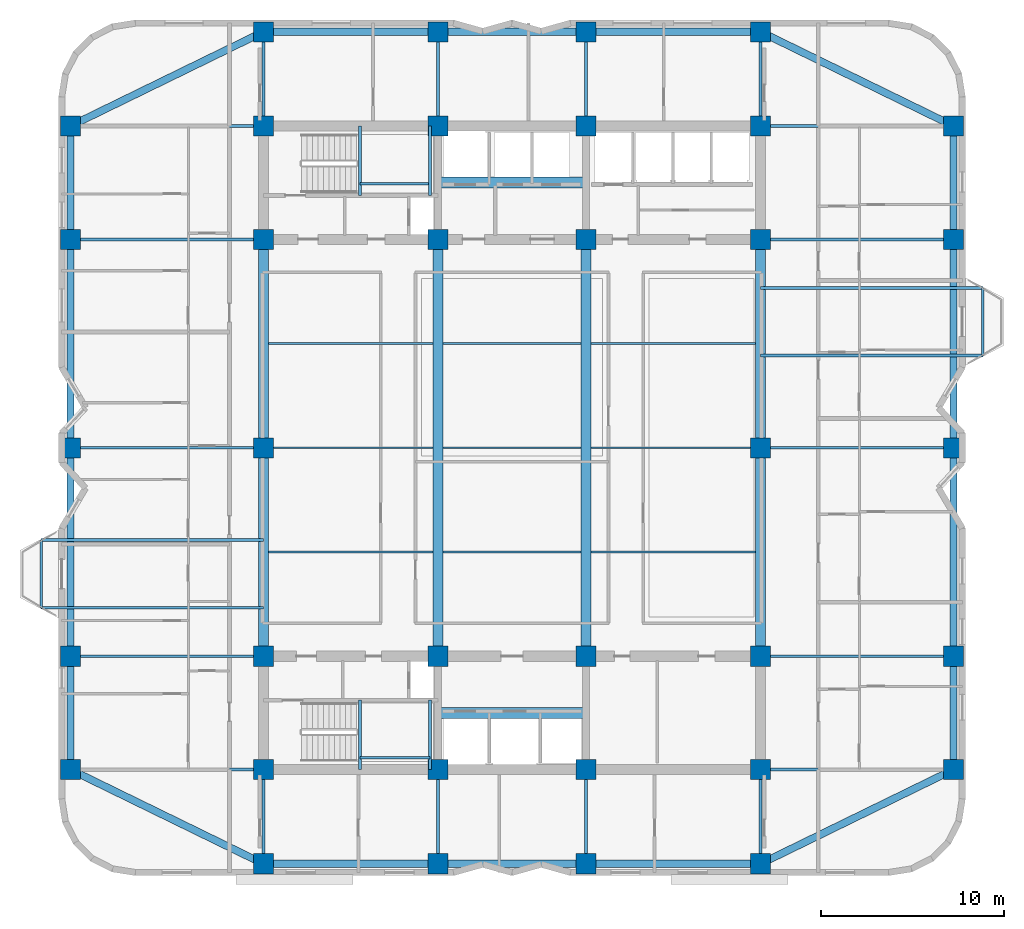
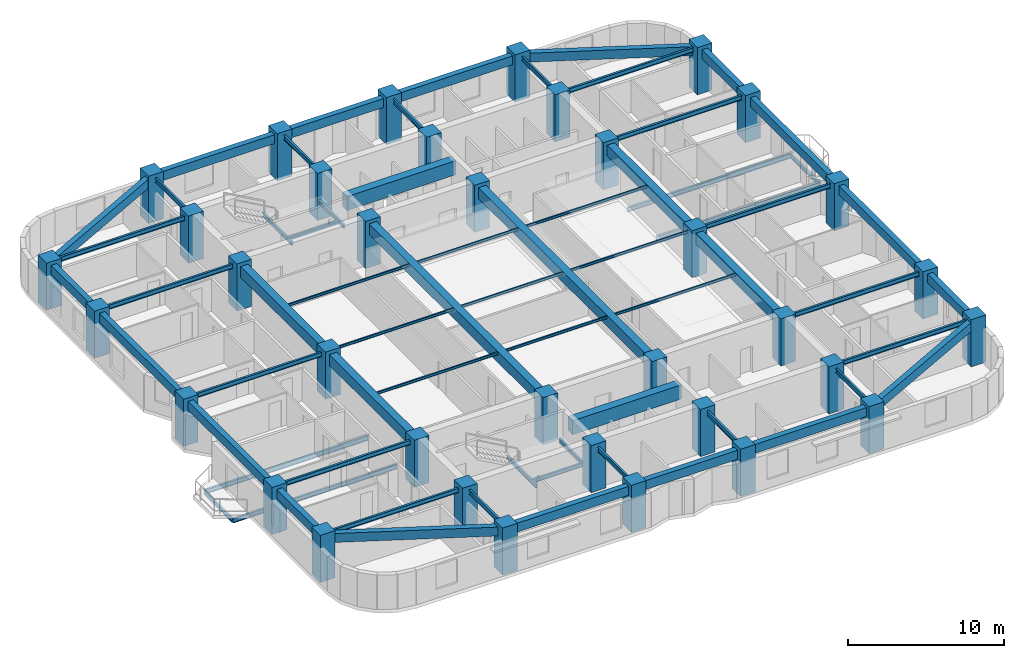
# One storey, part 1 of 11: 65 beams, 36 columns.
"""IFC4 building model written with IfcOpenShell, lengths in metres."""

from ifc_helpers import new_model, si_unit, direction, frame, origin, origin_2d, place, context, subcontext, project, spatial, rectangle, i_section, extrude, material, material_profile, profile_set, type_object, element, save


model = new_model("IFC4")

# Units and contexts
model_context = context("Model", 3, precision=1e-05, world=origin(), true_north=direction((0.0, 1.0)))
body_context = subcontext(model_context, "Body", "Model", "MODEL_VIEW")
ifc_project = project(units=[si_unit("LENGTHUNIT", "METRE"), si_unit("AREAUNIT", "SQUARE_METRE"), si_unit("VOLUMEUNIT", "CUBIC_METRE"), si_unit("PLANEANGLEUNIT", "RADIAN"), si_unit("MASSUNIT", "GRAM", prefix="KILO")], contexts=[model_context])

# Site, building, storey
site_placement = place(None, origin())
site = spatial("IfcSite", under=ifc_project, at=site_placement, CompositionType="ELEMENT")
building_placement = place(site_placement, origin())
building = spatial("IfcBuilding", under=site, at=building_placement, Name="Svetorya Sky Lyceum", CompositionType="ELEMENT")
storey_placement = place(building_placement, frame((0.0, 0.0, 106.800048828125)))
storey = spatial("IfcBuildingStorey", under=building, at=storey_placement, Name="L26", CompositionType="ELEMENT", Elevation=106.800048828125)

# Columns
ifc_material_1 = material(Name="Concrete C50/60", Category="concrete")
ifc_material_profile_1 = material_profile(ifc_material_1, rectangle(XDim=1.10009765625, YDim=1.10009765625, at=origin_2d()), Name="RC COL 1100x1100")
ifc_profile_set_1 = profile_set([ifc_material_profile_1], Name="Concrete C50/60")
column_type = type_object("IfcColumnType", Name="COL-RC-1100", PredefinedType="COLUMN", material=ifc_profile_set_1)
for number, where, z_axis, x_axis, name in (
    (1, (25.60009765625, 10.60009765625, 0.0), (0.0, 0.0, 1.0), (1.0, 0.0, 0.0), "L26 Core Column CS-11"),
    (2, (25.60009765625, 16.800048828125, 0.0), (0.0, 0.0, 1.0), (1.0, 0.0, 0.0), "L26 Core Column CS-12"),
    (3, (35.14990234375, 10.60009765625, 0.0), (0.0, 0.0, 1.0), (1.0, 0.0, 0.0), "L26 Core Column CS-21"),
    (4, (35.14990234375, 16.800048828125, 0.0), (0.0, 0.0, 1.0), (1.0, 0.0, 0.0), "L26 Core Column CS-22"),
    (5, (43.25, 10.60009765625, 0.0), (0.0, 0.0, 1.0), (1.0, 0.0, 0.0), "L26 Core Column CS-31"),
    (6, (43.25, 16.800048828125, 0.0), (0.0, 0.0, 1.0), (1.0, 0.0, 0.0), "L26 Core Column CS-32"),
    (7, (52.800048828125, 10.60009765625, 0.0), (0.0, 0.0, 1.0), (1.0, 0.0, 0.0), "L26 Core Column CS-41"),
    (8, (52.800048828125, 16.800048828125, 0.0), (0.0, 0.0, 1.0), (1.0, 0.0, 0.0), "L26 Core Column CS-42"),
    (9, (25.60009765625, 39.60009765625, 0.0), (0.0, 0.0, 1.0), (1.0, 0.0, 0.0), "L26 Core Column CN-11"),
    (10, (25.60009765625, 45.800048828125, 0.0), (0.0, 0.0, 1.0), (1.0, 0.0, 0.0), "L26 Core Column CN-12"),
    (11, (35.14990234375, 39.60009765625, 0.0), (0.0, 0.0, 1.0), (1.0, 0.0, 0.0), "L26 Core Column CN-21"),
    (12, (35.14990234375, 45.800048828125, 0.0), (0.0, 0.0, 1.0), (1.0, 0.0, 0.0), "L26 Core Column CN-22"),
    (13, (43.25, 39.60009765625, 0.0), (0.0, 0.0, 1.0), (1.0, 0.0, 0.0), "L26 Core Column CN-31"),
    (14, (43.25, 45.800048828125, 0.0), (0.0, 0.0, 1.0), (1.0, 0.0, 0.0), "L26 Core Column CN-32"),
    (15, (52.800048828125, 39.60009765625, 0.0), (0.0, 0.0, 1.0), (1.0, 0.0, 0.0), "L26 Core Column CN-41"),
    (16, (52.800048828125, 45.800048828125, 0.0), (0.0, 0.0, 1.0), (1.0, 0.0, 0.0), "L26 Core Column CN-42"),
    (17, (25.60009765625, 28.199951171875, 0.0), (0.0, 0.0, 1.0), (1.0, 0.0, 0.0), "L26 Core Column CM-W"),
    (18, (52.800048828125, 28.199951171875, 0.0), (0.0, 0.0, 1.0), (1.0, 0.0, 0.0), "L26 Core Column CM-E"),
    (19, (25.60009765625, 5.449951171875, 0.0), (0.0, 0.0, 1.0), (1.0, 0.0, 0.0), "L26 Perimeter Column S1"),
    (20, (25.60009765625, 50.949951171875, 0.0), (0.0, 0.0, 1.0), (1.0, 0.0, 0.0), "L26 Perimeter Column N1"),
    (21, (35.14990234375, 5.449951171875, 0.0), (0.0, 0.0, 1.0), (1.0, 0.0, 0.0), "L26 Perimeter Column S2"),
    (22, (35.14990234375, 50.949951171875, 0.0), (0.0, 0.0, 1.0), (1.0, 0.0, 0.0), "L26 Perimeter Column N2"),
    (23, (43.25, 5.449951171875, 0.0), (0.0, 0.0, 1.0), (1.0, 0.0, 0.0), "L26 Perimeter Column S3"),
    (24, (43.25, 50.949951171875, 0.0), (0.0, 0.0, 1.0), (1.0, 0.0, 0.0), "L26 Perimeter Column N3"),
    (25, (52.800048828125, 5.449951171875, 0.0), (0.0, 0.0, 1.0), (1.0, 0.0, 0.0), "L26 Perimeter Column S4"),
    (26, (52.800048828125, 50.949951171875, 0.0), (0.0, 0.0, 1.0), (1.0, 0.0, 0.0), "L26 Perimeter Column N4"),
    (27, (15.050048828125, 10.60009765625, 0.0), (0.0, 0.0, 1.0), (1.0, 0.0, 0.0), "L26 Perimeter Column W1"),
    (28, (63.35009765625, 10.60009765625, 0.0), (0.0, 0.0, 1.0), (1.0, 0.0, 0.0), "L26 Perimeter Column E1"),
    (29, (15.050048828125, 16.800048828125, 0.0), (0.0, 0.0, 1.0), (1.0, 0.0, 0.0), "L26 Perimeter Column W2"),
    (30, (63.35009765625, 16.800048828125, 0.0), (0.0, 0.0, 1.0), (1.0, 0.0, 0.0), "L26 Perimeter Column E2"),
    (31, (15.050048828125, 28.199951171875, 0.0), (0.0, 0.0, 1.0), (1.0, 0.0, 0.0), "L26 Perimeter Column W3"),
    (32, (63.35009765625, 28.199951171875, 0.0), (0.0, 0.0, 1.0), (1.0, 0.0, 0.0), "L26 Perimeter Column E3"),
    (33, (15.050048828125, 39.60009765625, 0.0), (0.0, 0.0, 1.0), (1.0, 0.0, 0.0), "L26 Perimeter Column W4"),
    (34, (63.35009765625, 39.60009765625, 0.0), (0.0, 0.0, 1.0), (1.0, 0.0, 0.0), "L26 Perimeter Column E4"),
    (35, (15.050048828125, 45.800048828125, 0.0), (0.0, 0.0, 1.0), (1.0, 0.0, 0.0), "L26 Perimeter Column W5"),
    (36, (63.35009765625, 45.800048828125, 0.0), (0.0, 0.0, 1.0), (1.0, 0.0, 0.0), "L26 Perimeter Column E5"),
):
    element("IfcColumn", number, at=place(storey_placement, frame(where, z_axis=z_axis, x_axis=x_axis)), inside=storey, type_object=column_type, Name=name, PredefinedType="COLUMN", context=body_context, shape_type="SweptSolid", body=[
        extrude(rectangle(XDim=1.10009765625, YDim=1.10009765625, at=origin_2d()), origin(), (0.0, 0.0, 1.0), 3.699951171875),
    ])

# Beams
ifc_material_2 = material(Name="Concrete C60/75", Category="concrete")
ifc_material_profile_2 = material_profile(ifc_material_2, rectangle(XDim=0.60009765625, YDim=1.10009765625, at=origin_2d()), Name="RC COUPLING 600x1100")
ifc_profile_set_2 = profile_set([ifc_material_profile_2], Name="Concrete C60/75")
beam_type_1 = type_object("IfcBeamType", Name="BM-CPL-1100", PredefinedType="LINTEL", material=ifc_profile_set_2)
for number, where, z_axis, x_axis, name in (
    (37, (35.14990234375, 13.699951171875, 2.869873046875), (1.0, 0.0, 0.0), (0.0, 1.0, 0.0), "L26 SC Core Coupling Beam"),
    (38, (35.14990234375, 42.699951171875, 2.869873046875), (1.0, 0.0, 0.0), (0.0, 1.0, 0.0), "L26 NC Core Coupling Beam"),
):
    element("IfcBeam", number, at=place(storey_placement, frame(where, z_axis=z_axis, x_axis=x_axis)), inside=storey, type_object=beam_type_1, Name=name, PredefinedType="LINTEL", context=body_context, shape_type="SweptSolid", body=[
        extrude(rectangle(XDim=0.60009765625, YDim=1.10009765625, at=origin_2d()), origin(), (0.0, 0.0, 1.0), 8.10009765625),
    ])
ifc_material_profile_3 = material_profile(ifc_material_1, rectangle(XDim=0.550048828125, YDim=0.85009765625, at=origin_2d()), Name="RC BEAM 550x850")
ifc_profile_set_3 = profile_set([ifc_material_profile_3], Name="Concrete C50/60")
beam_type_2 = type_object("IfcBeamType", Name="BM-RC-850", PredefinedType="BEAM", material=ifc_profile_set_3)
beam_1_placement = place(storey_placement, frame((25.60009765625, 16.800048828125, 2.994873046875), z_axis=(0.0, 1.0, 0.0), x_axis=(-1.0, 0.0, 0.0)))
element("IfcBeam", 39, at=beam_1_placement, inside=storey, type_object=beam_type_2, Name="L26 Central Bay Primary Girder CG-1A", PredefinedType="BEAM", context=body_context, shape_type="SweptSolid", body=[
    extrude(rectangle(XDim=0.550048828125, YDim=0.85009765625, at=origin_2d()), origin(), (0.0, 0.0, 1.0), 11.39990234375),
])
beam_2_placement = place(storey_placement, frame((25.60009765625, 28.199951171875, 2.994873046875), z_axis=(0.0, 1.0, 0.0), x_axis=(-1.0, 0.0, 0.0)))
element("IfcBeam", 40, at=beam_2_placement, inside=storey, type_object=beam_type_2, Name="L26 Central Bay Primary Girder CG-1B", PredefinedType="BEAM", context=body_context, shape_type="SweptSolid", body=[
    extrude(rectangle(XDim=0.550048828125, YDim=0.85009765625, at=origin_2d()), origin(), (0.0, 0.0, 1.0), 11.400146484375),
])
for number, where, z_axis, x_axis, name in (
    (41, (35.14990234375, 16.800048828125, 2.994873046875), (0.0, 1.0, 0.0), (-1.0, 0.0, 0.0), "L26 Central Bay Primary Girder CG-2"),
    (42, (43.25, 16.800048828125, 2.994873046875), (0.0, 1.0, 0.0), (-1.0, 0.0, 0.0), "L26 Central Bay Primary Girder CG-3"),
):
    element("IfcBeam", number, at=place(storey_placement, frame(where, z_axis=z_axis, x_axis=x_axis)), inside=storey, type_object=beam_type_2, Name=name, PredefinedType="BEAM", context=body_context, shape_type="SweptSolid", body=[
        extrude(rectangle(XDim=0.550048828125, YDim=0.85009765625, at=origin_2d()), origin(), (0.0, 0.0, 1.0), 22.800048828125),
    ])
beam_3_placement = place(storey_placement, frame((52.800048828125, 16.800048828125, 2.994873046875), z_axis=(0.0, 1.0, 0.0), x_axis=(-1.0, 0.0, 0.0)))
element("IfcBeam", 43, at=beam_3_placement, inside=storey, type_object=beam_type_2, Name="L26 Central Bay Primary Girder CG-4A", PredefinedType="BEAM", context=body_context, shape_type="SweptSolid", body=[
    extrude(rectangle(XDim=0.550048828125, YDim=0.85009765625, at=origin_2d()), origin(), (0.0, 0.0, 1.0), 11.39990234375),
])
beam_4_placement = place(storey_placement, frame((52.800048828125, 28.199951171875, 2.994873046875), z_axis=(0.0, 1.0, 0.0), x_axis=(-1.0, 0.0, 0.0)))
element("IfcBeam", 44, at=beam_4_placement, inside=storey, type_object=beam_type_2, Name="L26 Central Bay Primary Girder CG-4B", PredefinedType="BEAM", context=body_context, shape_type="SweptSolid", body=[
    extrude(rectangle(XDim=0.550048828125, YDim=0.85009765625, at=origin_2d()), origin(), (0.0, 0.0, 1.0), 11.400146484375),
])
ifc_material_profile_4 = material_profile(ifc_material_1, rectangle(XDim=0.39990234375, YDim=0.699951171875, at=origin_2d()), Name="RC SPANDREL 400x700")
ifc_profile_set_4 = profile_set([ifc_material_profile_4], Name="Concrete C50/60")
beam_type_3 = type_object("IfcBeamType", Name="BM-SPN-700", PredefinedType="SPANDREL", material=ifc_profile_set_4)
beam_5_placement = place(storey_placement, frame((25.60009765625, 5.449951171875, 3.070068359375), z_axis=(1.0, 0.0, 0.0), x_axis=(0.0, 1.0, 0.0)))
element("IfcBeam", 45, at=beam_5_placement, inside=storey, type_object=beam_type_3, Name="L26 South Spandrel 1", PredefinedType="SPANDREL", context=body_context, shape_type="SweptSolid", body=[
    extrude(rectangle(XDim=0.39990234375, YDim=0.699951171875, at=origin_2d()), origin(), (0.0, 0.0, 1.0), 9.5498046875),
])
beam_6_placement = place(storey_placement, frame((35.14990234375, 5.449951171875, 3.070068359375), z_axis=(1.0, 0.0, 0.0), x_axis=(0.0, 1.0, 0.0)))
element("IfcBeam", 46, at=beam_6_placement, inside=storey, type_object=beam_type_3, Name="L26 South Spandrel 2", PredefinedType="SPANDREL", context=body_context, shape_type="SweptSolid", body=[
    extrude(rectangle(XDim=0.39990234375, YDim=0.699951171875, at=origin_2d()), origin(), (0.0, 0.0, 1.0), 8.10009765625),
])
beam_7_placement = place(storey_placement, frame((43.25, 5.449951171875, 3.070068359375), z_axis=(1.0, 0.0, 0.0), x_axis=(0.0, 1.0, 0.0)))
element("IfcBeam", 47, at=beam_7_placement, inside=storey, type_object=beam_type_3, Name="L26 South Spandrel 3", PredefinedType="SPANDREL", context=body_context, shape_type="SweptSolid", body=[
    extrude(rectangle(XDim=0.39990234375, YDim=0.699951171875, at=origin_2d()), origin(), (0.0, 0.0, 1.0), 9.550048828125),
])
beam_8_placement = place(storey_placement, frame((25.60009765625, 50.949951171875, 3.070068359375), z_axis=(1.0, 0.0, 0.0), x_axis=(0.0, 1.0, 0.0)))
element("IfcBeam", 48, at=beam_8_placement, inside=storey, type_object=beam_type_3, Name="L26 North Spandrel 1", PredefinedType="SPANDREL", context=body_context, shape_type="SweptSolid", body=[
    extrude(rectangle(XDim=0.39990234375, YDim=0.699951171875, at=origin_2d()), origin(), (0.0, 0.0, 1.0), 9.5498046875),
])
beam_9_placement = place(storey_placement, frame((35.14990234375, 50.949951171875, 3.070068359375), z_axis=(1.0, 0.0, 0.0), x_axis=(0.0, 1.0, 0.0)))
element("IfcBeam", 49, at=beam_9_placement, inside=storey, type_object=beam_type_3, Name="L26 North Spandrel 2", PredefinedType="SPANDREL", context=body_context, shape_type="SweptSolid", body=[
    extrude(rectangle(XDim=0.39990234375, YDim=0.699951171875, at=origin_2d()), origin(), (0.0, 0.0, 1.0), 8.10009765625),
])
beam_10_placement = place(storey_placement, frame((43.25, 50.949951171875, 3.070068359375), z_axis=(1.0, 0.0, 0.0), x_axis=(0.0, 1.0, 0.0)))
element("IfcBeam", 50, at=beam_10_placement, inside=storey, type_object=beam_type_3, Name="L26 North Spandrel 3", PredefinedType="SPANDREL", context=body_context, shape_type="SweptSolid", body=[
    extrude(rectangle(XDim=0.39990234375, YDim=0.699951171875, at=origin_2d()), origin(), (0.0, 0.0, 1.0), 9.550048828125),
])
for number, where, z_axis, x_axis, name in (
    (51, (25.60009765625, 5.449951171875, 3.070068359375), (-0.898641495694, 0.438683783854, 0.0), (-0.438683783854, -0.898641495694, 0.0), "L26 Corner Spandrel 1"),
    (52, (52.800048828125, 5.449951171875, 3.070068359375), (0.898641495694, 0.438683783854, 0.0), (-0.438683783854, 0.898641495694, 0.0), "L26 Corner Spandrel 2"),
    (53, (63.35009765625, 45.800048828125, 3.070068359375), (-0.898649693653, 0.438666989978, 0.0), (-0.438666989978, -0.898649693653, 0.0), "L26 Corner Spandrel 3"),
    (54, (15.050048828125, 45.800048828125, 3.070068359375), (0.898649693653, 0.438666989978, 0.0), (-0.438666989978, 0.898649693653, 0.0), "L26 Corner Spandrel 4"),
):
    element("IfcBeam", number, at=place(storey_placement, frame(where, z_axis=z_axis, x_axis=x_axis)), inside=storey, type_object=beam_type_3, Name=name, PredefinedType="SPANDREL", context=body_context, shape_type="SweptSolid", body=[
        extrude(rectangle(XDim=0.39990234375, YDim=0.699951171875, at=origin_2d()), origin(), (0.0, 0.0, 1.0), 11.739990234375),
    ])
beam_11_placement = place(storey_placement, frame((15.050048828125, 10.60009765625, 3.070068359375), z_axis=(0.0, 1.0, 0.0), x_axis=(-1.0, 0.0, 0.0)))
element("IfcBeam", 55, at=beam_11_placement, inside=storey, type_object=beam_type_3, Name="L26 West Spandrel 1", PredefinedType="SPANDREL", context=body_context, shape_type="SweptSolid", body=[
    extrude(rectangle(XDim=0.39990234375, YDim=0.699951171875, at=origin_2d()), origin(), (0.0, 0.0, 1.0), 6.199951171875),
])
beam_12_placement = place(storey_placement, frame((15.050048828125, 16.800048828125, 3.070068359375), z_axis=(0.0, 1.0, 0.0), x_axis=(-1.0, 0.0, 0.0)))
element("IfcBeam", 56, at=beam_12_placement, inside=storey, type_object=beam_type_3, Name="L26 West Spandrel 2", PredefinedType="SPANDREL", context=body_context, shape_type="SweptSolid", body=[
    extrude(rectangle(XDim=0.39990234375, YDim=0.699951171875, at=origin_2d()), origin(), (0.0, 0.0, 1.0), 11.39990234375),
])
beam_13_placement = place(storey_placement, frame((15.050048828125, 28.199951171875, 3.070068359375), z_axis=(0.0, 1.0, 0.0), x_axis=(-1.0, 0.0, 0.0)))
element("IfcBeam", 57, at=beam_13_placement, inside=storey, type_object=beam_type_3, Name="L26 West Spandrel 3", PredefinedType="SPANDREL", context=body_context, shape_type="SweptSolid", body=[
    extrude(rectangle(XDim=0.39990234375, YDim=0.699951171875, at=origin_2d()), origin(), (0.0, 0.0, 1.0), 11.400146484375),
])
for number, where, z_axis, x_axis, name in (
    (58, (15.050048828125, 39.60009765625, 3.070068359375), (0.0, 1.0, 0.0), (-1.0, 0.0, 0.0), "L26 West Spandrel 4"),
    (59, (63.35009765625, 10.60009765625, 3.070068359375), (0.0, 1.0, 0.0), (-1.0, 0.0, 0.0), "L26 East Spandrel 1"),
):
    element("IfcBeam", number, at=place(storey_placement, frame(where, z_axis=z_axis, x_axis=x_axis)), inside=storey, type_object=beam_type_3, Name=name, PredefinedType="SPANDREL", context=body_context, shape_type="SweptSolid", body=[
        extrude(rectangle(XDim=0.39990234375, YDim=0.699951171875, at=origin_2d()), origin(), (0.0, 0.0, 1.0), 6.199951171875),
    ])
beam_14_placement = place(storey_placement, frame((63.35009765625, 16.800048828125, 3.070068359375), z_axis=(0.0, 1.0, 0.0), x_axis=(-1.0, 0.0, 0.0)))
element("IfcBeam", 60, at=beam_14_placement, inside=storey, type_object=beam_type_3, Name="L26 East Spandrel 2", PredefinedType="SPANDREL", context=body_context, shape_type="SweptSolid", body=[
    extrude(rectangle(XDim=0.39990234375, YDim=0.699951171875, at=origin_2d()), origin(), (0.0, 0.0, 1.0), 11.39990234375),
])
beam_15_placement = place(storey_placement, frame((63.35009765625, 28.199951171875, 3.070068359375), z_axis=(0.0, 1.0, 0.0), x_axis=(-1.0, 0.0, 0.0)))
element("IfcBeam", 61, at=beam_15_placement, inside=storey, type_object=beam_type_3, Name="L26 East Spandrel 3", PredefinedType="SPANDREL", context=body_context, shape_type="SweptSolid", body=[
    extrude(rectangle(XDim=0.39990234375, YDim=0.699951171875, at=origin_2d()), origin(), (0.0, 0.0, 1.0), 11.400146484375),
])
beam_16_placement = place(storey_placement, frame((63.35009765625, 39.60009765625, 3.070068359375), z_axis=(0.0, 1.0, 0.0), x_axis=(-1.0, 0.0, 0.0)))
element("IfcBeam", 62, at=beam_16_placement, inside=storey, type_object=beam_type_3, Name="L26 East Spandrel 4", PredefinedType="SPANDREL", context=body_context, shape_type="SweptSolid", body=[
    extrude(rectangle(XDim=0.39990234375, YDim=0.699951171875, at=origin_2d()), origin(), (0.0, 0.0, 1.0), 6.199951171875),
])
ifc_material_3 = material(Name="Steel S355", Category="steel")
ifc_material_profile_5 = material_profile(ifc_material_3, i_section(OverallWidth=0.10009765625, OverallDepth=0.199951171875, WebThickness=0.005615234375, FlangeThickness=0.008544921875, at=origin_2d()), Name="GOST 20B1")
ifc_profile_set_5 = profile_set([ifc_material_profile_5], Name="Steel S355")
beam_type_4 = type_object("IfcBeamType", Name="BM-STL-20B1", PredefinedType="JOIST", material=ifc_profile_set_5)
beam_17_placement = place(storey_placement, frame((25.875, 22.5, 3.320068359375), z_axis=(1.0, 0.0, 0.0), x_axis=(0.0, 1.0, 0.0)))
element("IfcBeam", 63, at=beam_17_placement, inside=storey, type_object=beam_type_4, Name="L26 Central Floor Joist CJ-1.1", PredefinedType="JOIST", context=body_context, shape_type="SweptSolid", body=[
    extrude(i_section(OverallWidth=0.10009765625, OverallDepth=0.199951171875, WebThickness=0.005615234375, FlangeThickness=0.008544921875, at=origin_2d()), origin(), (0.0, 0.0, 1.0), 9.0),
])
beam_18_placement = place(storey_placement, frame((35.425048828125, 22.5, 3.320068359375), z_axis=(1.0, 0.0, 0.0), x_axis=(0.0, 1.0, 0.0)))
element("IfcBeam", 64, at=beam_18_placement, inside=storey, type_object=beam_type_4, Name="L26 Central Floor Joist CJ-1.2", PredefinedType="JOIST", context=body_context, shape_type="SweptSolid", body=[
    extrude(i_section(OverallWidth=0.10009765625, OverallDepth=0.199951171875, WebThickness=0.005615234375, FlangeThickness=0.008544921875, at=origin_2d()), origin(), (0.0, 0.0, 1.0), 7.550048828125),
])
for number, where, z_axis, x_axis, name in (
    (65, (43.52490234375, 22.5, 3.320068359375), (1.0, 0.0, 0.0), (0.0, 1.0, 0.0), "L26 Central Floor Joist CJ-1.3"),
    (66, (25.875, 28.199951171875, 3.320068359375), (1.0, 0.0, 0.0), (0.0, 1.0, 0.0), "L26 Central Floor Joist CJ-2.1"),
):
    element("IfcBeam", number, at=place(storey_placement, frame(where, z_axis=z_axis, x_axis=x_axis)), inside=storey, type_object=beam_type_4, Name=name, PredefinedType="JOIST", context=body_context, shape_type="SweptSolid", body=[
        extrude(i_section(OverallWidth=0.10009765625, OverallDepth=0.199951171875, WebThickness=0.005615234375, FlangeThickness=0.008544921875, at=origin_2d()), origin(), (0.0, 0.0, 1.0), 9.0),
    ])
beam_19_placement = place(storey_placement, frame((35.425048828125, 28.199951171875, 3.320068359375), z_axis=(1.0, 0.0, 0.0), x_axis=(0.0, 1.0, 0.0)))
element("IfcBeam", 67, at=beam_19_placement, inside=storey, type_object=beam_type_4, Name="L26 Central Floor Joist CJ-2.2", PredefinedType="JOIST", context=body_context, shape_type="SweptSolid", body=[
    extrude(i_section(OverallWidth=0.10009765625, OverallDepth=0.199951171875, WebThickness=0.005615234375, FlangeThickness=0.008544921875, at=origin_2d()), origin(), (0.0, 0.0, 1.0), 7.550048828125),
])
for number, where, z_axis, x_axis, name in (
    (68, (43.52490234375, 28.199951171875, 3.320068359375), (1.0, 0.0, 0.0), (0.0, 1.0, 0.0), "L26 Central Floor Joist CJ-2.3"),
    (69, (25.875, 33.89990234375, 3.320068359375), (1.0, 0.0, 0.0), (0.0, 1.0, 0.0), "L26 Central Floor Joist CJ-3.1"),
):
    element("IfcBeam", number, at=place(storey_placement, frame(where, z_axis=z_axis, x_axis=x_axis)), inside=storey, type_object=beam_type_4, Name=name, PredefinedType="JOIST", context=body_context, shape_type="SweptSolid", body=[
        extrude(i_section(OverallWidth=0.10009765625, OverallDepth=0.199951171875, WebThickness=0.005615234375, FlangeThickness=0.008544921875, at=origin_2d()), origin(), (0.0, 0.0, 1.0), 9.0),
    ])
beam_20_placement = place(storey_placement, frame((35.425048828125, 33.89990234375, 3.320068359375), z_axis=(1.0, 0.0, 0.0), x_axis=(0.0, 1.0, 0.0)))
element("IfcBeam", 70, at=beam_20_placement, inside=storey, type_object=beam_type_4, Name="L26 Central Floor Joist CJ-3.2", PredefinedType="JOIST", context=body_context, shape_type="SweptSolid", body=[
    extrude(i_section(OverallWidth=0.10009765625, OverallDepth=0.199951171875, WebThickness=0.005615234375, FlangeThickness=0.008544921875, at=origin_2d()), origin(), (0.0, 0.0, 1.0), 7.550048828125),
])
beam_21_placement = place(storey_placement, frame((43.52490234375, 33.89990234375, 3.320068359375), z_axis=(1.0, 0.0, 0.0), x_axis=(0.0, 1.0, 0.0)))
element("IfcBeam", 71, at=beam_21_placement, inside=storey, type_object=beam_type_4, Name="L26 Central Floor Joist CJ-3.3", PredefinedType="JOIST", context=body_context, shape_type="SweptSolid", body=[
    extrude(i_section(OverallWidth=0.10009765625, OverallDepth=0.199951171875, WebThickness=0.005615234375, FlangeThickness=0.008544921875, at=origin_2d()), origin(), (0.0, 0.0, 1.0), 9.0),
])
ifc_material_profile_6 = material_profile(ifc_material_3, i_section(OverallWidth=0.14990234375, OverallDepth=0.299072265625, WebThickness=0.006591796875, FlangeThickness=0.010498046875, at=origin_2d()), Name="GOST 30B2")
ifc_profile_set_6 = profile_set([ifc_material_profile_6], Name="Steel S355")
beam_type_5 = type_object("IfcBeamType", Name="BM-STL-30B2", PredefinedType="JOIST", material=ifc_profile_set_6)
for number, where, z_axis, x_axis, name in (
    (72, (13.449951171875, 19.449951171875, -0.45458984375), (0.0, 1.0, 0.0), (-1.0, 0.0, 0.0), "L26 Balcony Edge Tie BAL-W1"),
    (73, (64.949951171875, 33.25, -0.45458984375), (0.0, 1.0, 0.0), (-1.0, 0.0, 0.0), "L26 Balcony Edge Tie BAL-E1"),
):
    element("IfcBeam", number, at=place(storey_placement, frame(where, z_axis=z_axis, x_axis=x_axis)), inside=storey, type_object=beam_type_5, Name=name, PredefinedType="JOIST", context=body_context, shape_type="SweptSolid", body=[
        extrude(i_section(OverallWidth=0.14990234375, OverallDepth=0.299072265625, WebThickness=0.006591796875, FlangeThickness=0.010498046875, at=origin_2d()), origin(), (0.0, 0.0, 1.0), 3.699951171875),
    ])
for number, where, z_axis, x_axis, name in (
    (74, (30.8798828125, 10.60009765625, 1.50048828125), (0.0, 1.0, 0.0), (-1.0, 0.0, 0.0), "L26 Stair ST-S Half-Landing Support Beam 30.1"),
    (75, (34.719970703125, 10.60009765625, 1.50048828125), (0.0, 1.0, 0.0), (-1.0, 0.0, 0.0), "L26 Stair ST-S Half-Landing Support Beam 30.2"),
):
    element("IfcBeam", number, at=place(storey_placement, frame(where, z_axis=z_axis, x_axis=x_axis)), inside=storey, type_object=beam_type_5, Name=name, PredefinedType="JOIST", context=body_context, shape_type="SweptSolid", body=[
        extrude(i_section(OverallWidth=0.14990234375, OverallDepth=0.299072265625, WebThickness=0.006591796875, FlangeThickness=0.010498046875, at=origin_2d()), origin(), (0.0, 0.0, 1.0), 3.7998046875),
    ])
beam_22_placement = place(storey_placement, frame((30.8798828125, 11.25, 1.50048828125), z_axis=(1.0, 0.0, 0.0), x_axis=(0.0, 1.0, 0.0)))
element("IfcBeam", 76, at=beam_22_placement, inside=storey, type_object=beam_type_5, Name="L26 Stair ST-S Half-Landing Cross Tie 30", PredefinedType="JOIST", context=body_context, shape_type="SweptSolid", body=[
    extrude(i_section(OverallWidth=0.14990234375, OverallDepth=0.299072265625, WebThickness=0.006591796875, FlangeThickness=0.010498046875, at=origin_2d()), origin(), (0.0, 0.0, 1.0), 3.840087890625),
])
for number, where, z_axis, x_axis, name in (
    (77, (30.8798828125, 42.0, 1.50048828125), (0.0, 1.0, 0.0), (-1.0, 0.0, 0.0), "L26 Stair ST-N Half-Landing Support Beam 30.1"),
    (78, (34.719970703125, 42.0, 1.50048828125), (0.0, 1.0, 0.0), (-1.0, 0.0, 0.0), "L26 Stair ST-N Half-Landing Support Beam 30.2"),
):
    element("IfcBeam", number, at=place(storey_placement, frame(where, z_axis=z_axis, x_axis=x_axis)), inside=storey, type_object=beam_type_5, Name=name, PredefinedType="JOIST", context=body_context, shape_type="SweptSolid", body=[
        extrude(i_section(OverallWidth=0.14990234375, OverallDepth=0.299072265625, WebThickness=0.006591796875, FlangeThickness=0.010498046875, at=origin_2d()), origin(), (0.0, 0.0, 1.0), 3.800048828125),
    ])
beam_23_placement = place(storey_placement, frame((30.8798828125, 42.64990234375, 1.50048828125), z_axis=(1.0, 0.0, 0.0), x_axis=(0.0, 1.0, 0.0)))
element("IfcBeam", 79, at=beam_23_placement, inside=storey, type_object=beam_type_5, Name="L26 Stair ST-N Half-Landing Cross Tie 30", PredefinedType="JOIST", context=body_context, shape_type="SweptSolid", body=[
    extrude(i_section(OverallWidth=0.14990234375, OverallDepth=0.299072265625, WebThickness=0.006591796875, FlangeThickness=0.010498046875, at=origin_2d()), origin(), (0.0, 0.0, 1.0), 3.840087890625),
])
ifc_material_profile_7 = material_profile(ifc_material_3, i_section(OverallWidth=0.155029296875, OverallDepth=0.34912109375, WebThickness=0.007080078125, FlangeThickness=0.011474609375, at=origin_2d()), Name="GOST 35B2")
ifc_profile_set_7 = profile_set([ifc_material_profile_7], Name="Steel S355")
beam_type_6 = type_object("IfcBeamType", Name="BM-STL-35B2", PredefinedType="JOIST", material=ifc_profile_set_7)
for number, where, z_axis, x_axis, name in (
    (80, (25.60009765625, 19.449951171875, -0.45458984375), (-1.0, 0.0, 0.0), (0.0, -1.0, 0.0), "L26 Balcony Cantilever Beam BAL-W1-1"),
    (81, (25.60009765625, 23.14990234375, -0.45458984375), (-1.0, 0.0, 0.0), (0.0, -1.0, 0.0), "L26 Balcony Cantilever Beam BAL-W1-2"),
):
    element("IfcBeam", number, at=place(storey_placement, frame(where, z_axis=z_axis, x_axis=x_axis)), inside=storey, type_object=beam_type_6, Name=name, PredefinedType="JOIST", context=body_context, shape_type="SweptSolid", body=[
        extrude(i_section(OverallWidth=0.155029296875, OverallDepth=0.34912109375, WebThickness=0.007080078125, FlangeThickness=0.011474609375, at=origin_2d()), origin(), (0.0, 0.0, 1.0), 12.150146484375),
    ])
for number, where, z_axis, x_axis, name in (
    (82, (52.800048828125, 33.25, -0.45458984375), (1.0, 0.0, 0.0), (0.0, 1.0, 0.0), "L26 Balcony Cantilever Beam BAL-E1-1"),
    (83, (52.800048828125, 36.949951171875, -0.45458984375), (1.0, 0.0, 0.0), (0.0, 1.0, 0.0), "L26 Balcony Cantilever Beam BAL-E1-2"),
):
    element("IfcBeam", number, at=place(storey_placement, frame(where, z_axis=z_axis, x_axis=x_axis)), inside=storey, type_object=beam_type_6, Name=name, PredefinedType="JOIST", context=body_context, shape_type="SweptSolid", body=[
        extrude(i_section(OverallWidth=0.155029296875, OverallDepth=0.34912109375, WebThickness=0.007080078125, FlangeThickness=0.011474609375, at=origin_2d()), origin(), (0.0, 0.0, 1.0), 12.14990234375),
    ])
for number, where, z_axis, x_axis, name in (
    (84, (15.050048828125, 10.60009765625, 3.245361328125), (1.0, 0.0, 0.0), (0.0, 1.0, 0.0), "L26 West Wing Floor Joist W1"),
    (85, (52.800048828125, 10.60009765625, 3.245361328125), (1.0, 0.0, 0.0), (0.0, 1.0, 0.0), "L26 East Wing Floor Joist E1"),
    (86, (15.050048828125, 16.800048828125, 3.245361328125), (1.0, 0.0, 0.0), (0.0, 1.0, 0.0), "L26 West Wing Floor Joist W2"),
    (87, (52.800048828125, 16.800048828125, 3.245361328125), (1.0, 0.0, 0.0), (0.0, 1.0, 0.0), "L26 East Wing Floor Joist E2"),
    (88, (15.050048828125, 28.199951171875, 3.245361328125), (1.0, 0.0, 0.0), (0.0, 1.0, 0.0), "L26 West Wing Floor Joist W3"),
    (89, (52.800048828125, 28.199951171875, 3.245361328125), (1.0, 0.0, 0.0), (0.0, 1.0, 0.0), "L26 East Wing Floor Joist E3"),
    (90, (15.050048828125, 39.60009765625, 3.245361328125), (1.0, 0.0, 0.0), (0.0, 1.0, 0.0), "L26 West Wing Floor Joist W4"),
    (91, (52.800048828125, 39.60009765625, 3.245361328125), (1.0, 0.0, 0.0), (0.0, 1.0, 0.0), "L26 East Wing Floor Joist E4"),
    (92, (15.050048828125, 45.800048828125, 3.245361328125), (1.0, 0.0, 0.0), (0.0, 1.0, 0.0), "L26 West Wing Floor Joist W5"),
    (93, (52.800048828125, 45.800048828125, 3.245361328125), (1.0, 0.0, 0.0), (0.0, 1.0, 0.0), "L26 East Wing Floor Joist E5"),
):
    element("IfcBeam", number, at=place(storey_placement, frame(where, z_axis=z_axis, x_axis=x_axis)), inside=storey, type_object=beam_type_6, Name=name, PredefinedType="JOIST", context=body_context, shape_type="SweptSolid", body=[
        extrude(i_section(OverallWidth=0.155029296875, OverallDepth=0.34912109375, WebThickness=0.007080078125, FlangeThickness=0.011474609375, at=origin_2d()), origin(), (0.0, 0.0, 1.0), 10.550048828125),
    ])
beam_24_placement = place(storey_placement, frame((25.60009765625, 5.449951171875, 3.245361328125), z_axis=(0.0, 1.0, 0.0), x_axis=(-1.0, 0.0, 0.0)))
element("IfcBeam", 94, at=beam_24_placement, inside=storey, type_object=beam_type_6, Name="L26 South Bay Floor Girder S1", PredefinedType="JOIST", context=body_context, shape_type="SweptSolid", body=[
    extrude(i_section(OverallWidth=0.155029296875, OverallDepth=0.34912109375, WebThickness=0.007080078125, FlangeThickness=0.011474609375, at=origin_2d()), origin(), (0.0, 0.0, 1.0), 5.150146484375),
])
beam_25_placement = place(storey_placement, frame((25.60009765625, 45.800048828125, 3.245361328125), z_axis=(0.0, 1.0, 0.0), x_axis=(-1.0, 0.0, 0.0)))
element("IfcBeam", 95, at=beam_25_placement, inside=storey, type_object=beam_type_6, Name="L26 North Bay Floor Girder N1", PredefinedType="JOIST", context=body_context, shape_type="SweptSolid", body=[
    extrude(i_section(OverallWidth=0.155029296875, OverallDepth=0.34912109375, WebThickness=0.007080078125, FlangeThickness=0.011474609375, at=origin_2d()), origin(), (0.0, 0.0, 1.0), 5.14990234375),
])
beam_26_placement = place(storey_placement, frame((35.14990234375, 5.449951171875, 3.245361328125), z_axis=(0.0, 1.0, 0.0), x_axis=(-1.0, 0.0, 0.0)))
element("IfcBeam", 96, at=beam_26_placement, inside=storey, type_object=beam_type_6, Name="L26 South Bay Floor Girder S2", PredefinedType="JOIST", context=body_context, shape_type="SweptSolid", body=[
    extrude(i_section(OverallWidth=0.155029296875, OverallDepth=0.34912109375, WebThickness=0.007080078125, FlangeThickness=0.011474609375, at=origin_2d()), origin(), (0.0, 0.0, 1.0), 5.150146484375),
])
beam_27_placement = place(storey_placement, frame((35.14990234375, 45.800048828125, 3.245361328125), z_axis=(0.0, 1.0, 0.0), x_axis=(-1.0, 0.0, 0.0)))
element("IfcBeam", 97, at=beam_27_placement, inside=storey, type_object=beam_type_6, Name="L26 North Bay Floor Girder N2", PredefinedType="JOIST", context=body_context, shape_type="SweptSolid", body=[
    extrude(i_section(OverallWidth=0.155029296875, OverallDepth=0.34912109375, WebThickness=0.007080078125, FlangeThickness=0.011474609375, at=origin_2d()), origin(), (0.0, 0.0, 1.0), 5.14990234375),
])
beam_28_placement = place(storey_placement, frame((43.25, 5.449951171875, 3.245361328125), z_axis=(0.0, 1.0, 0.0), x_axis=(-1.0, 0.0, 0.0)))
element("IfcBeam", 98, at=beam_28_placement, inside=storey, type_object=beam_type_6, Name="L26 South Bay Floor Girder S3", PredefinedType="JOIST", context=body_context, shape_type="SweptSolid", body=[
    extrude(i_section(OverallWidth=0.155029296875, OverallDepth=0.34912109375, WebThickness=0.007080078125, FlangeThickness=0.011474609375, at=origin_2d()), origin(), (0.0, 0.0, 1.0), 5.150146484375),
])
beam_29_placement = place(storey_placement, frame((43.25, 45.800048828125, 3.245361328125), z_axis=(0.0, 1.0, 0.0), x_axis=(-1.0, 0.0, 0.0)))
element("IfcBeam", 99, at=beam_29_placement, inside=storey, type_object=beam_type_6, Name="L26 North Bay Floor Girder N3", PredefinedType="JOIST", context=body_context, shape_type="SweptSolid", body=[
    extrude(i_section(OverallWidth=0.155029296875, OverallDepth=0.34912109375, WebThickness=0.007080078125, FlangeThickness=0.011474609375, at=origin_2d()), origin(), (0.0, 0.0, 1.0), 5.14990234375),
])
beam_30_placement = place(storey_placement, frame((52.800048828125, 5.449951171875, 3.245361328125), z_axis=(0.0, 1.0, 0.0), x_axis=(-1.0, 0.0, 0.0)))
element("IfcBeam", 100, at=beam_30_placement, inside=storey, type_object=beam_type_6, Name="L26 South Bay Floor Girder S4", PredefinedType="JOIST", context=body_context, shape_type="SweptSolid", body=[
    extrude(i_section(OverallWidth=0.155029296875, OverallDepth=0.34912109375, WebThickness=0.007080078125, FlangeThickness=0.011474609375, at=origin_2d()), origin(), (0.0, 0.0, 1.0), 5.150146484375),
])
beam_31_placement = place(storey_placement, frame((52.800048828125, 45.800048828125, 3.245361328125), z_axis=(0.0, 1.0, 0.0), x_axis=(-1.0, 0.0, 0.0)))
element("IfcBeam", 101, at=beam_31_placement, inside=storey, type_object=beam_type_6, Name="L26 North Bay Floor Girder N4", PredefinedType="JOIST", context=body_context, shape_type="SweptSolid", body=[
    extrude(i_section(OverallWidth=0.155029296875, OverallDepth=0.34912109375, WebThickness=0.007080078125, FlangeThickness=0.011474609375, at=origin_2d()), origin(), (0.0, 0.0, 1.0), 5.14990234375),
])

save(model, "model.ifc")
